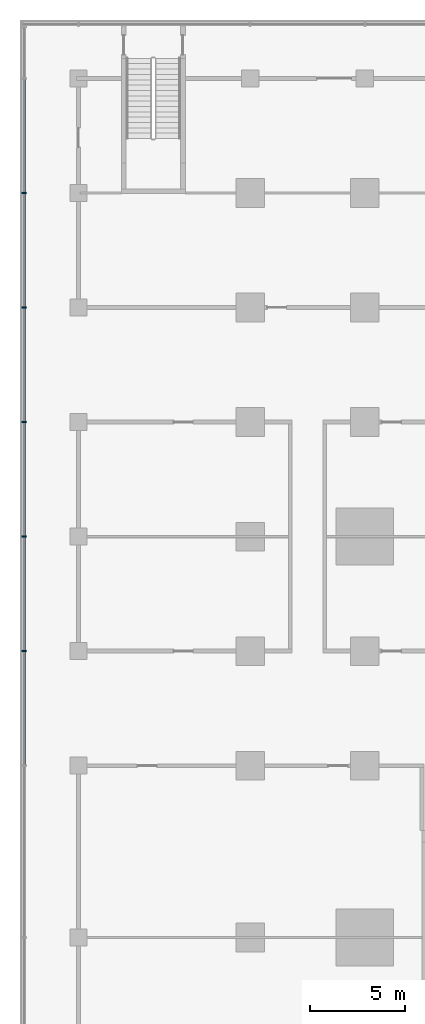
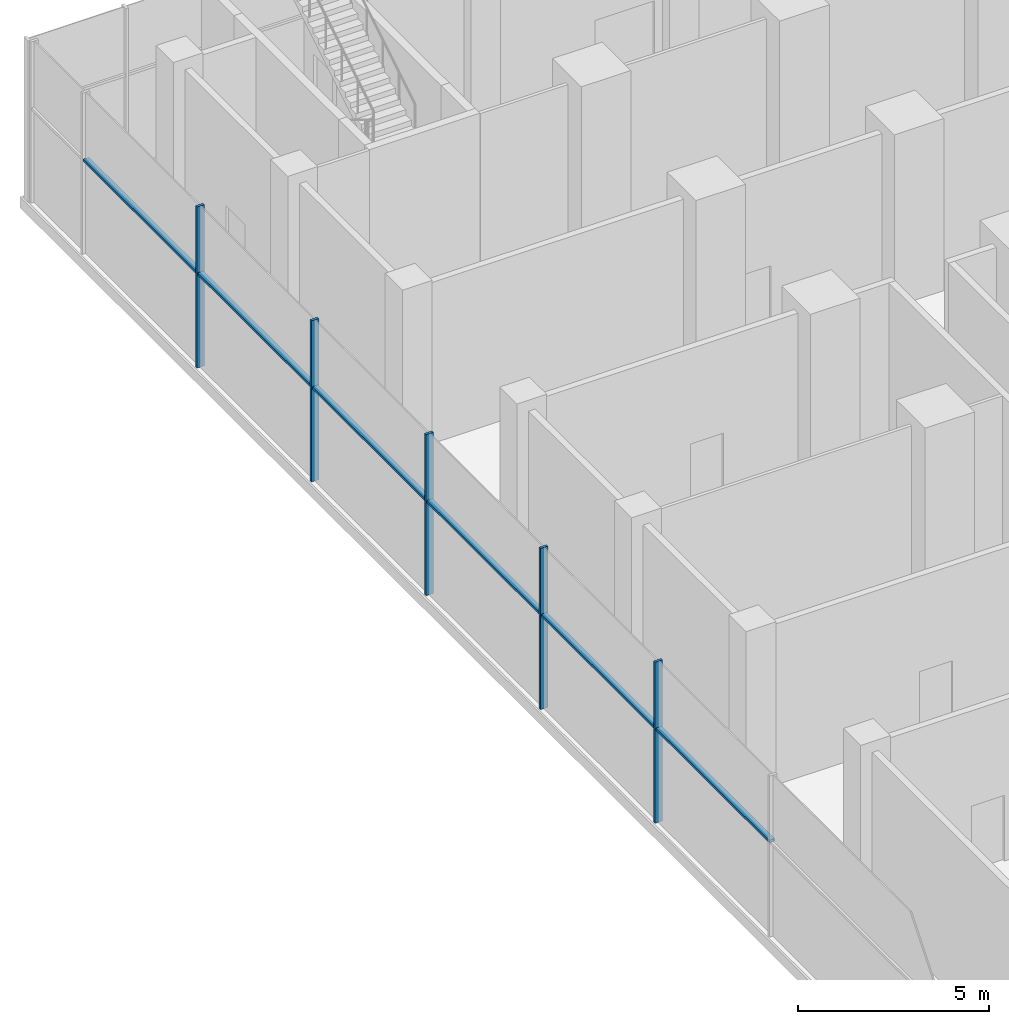
# One storey, part 4 of 22: 11 members, 1 element without a shape of its own.
"""IFC4 building model written with IfcOpenShell, lengths in metres."""

from ifc_helpers import new_model, si_unit, direction, frame, origin, origin_2d, place, context, subcontext, project, spatial, rectangle, extrude, material, material_profile, profile_set, type_object, element, aggregate, save


model = new_model("IFC4")

# Units and contexts
model_context = context("Model", 3, precision=1e-05, world=origin(), true_north=direction((0.0, 1.0)))
body_context = subcontext(model_context, "Body", "Model", "MODEL_VIEW")
ifc_project = project(units=[si_unit("LENGTHUNIT", "METRE"), si_unit("AREAUNIT", "SQUARE_METRE"), si_unit("VOLUMEUNIT", "CUBIC_METRE"), si_unit("PLANEANGLEUNIT", "RADIAN"), si_unit("MASSUNIT", "GRAM", prefix="KILO")], contexts=[model_context])

# Site, building, storey
site_placement = place(None, origin())
site = spatial("IfcSite", under=ifc_project, at=site_placement, CompositionType="ELEMENT")
building_placement = place(site_placement, origin())
building = spatial("IfcBuilding", under=site, at=building_placement, Name="Finial Court Residences", CompositionType="ELEMENT")
storey_placement = place(building_placement, frame((0.0, 0.0, 8.0)))
storey = spatial("IfcBuildingStorey", under=building, at=storey_placement, Name="L01", CompositionType="ELEMENT", Elevation=8.0)

# Curtain wall, members
ifc_material = material(Name="Bronze anodised aluminium", Category="aluminium")
curtain_wall_type = type_object("IfcCurtainWallType", Name="Podium curtain wall", PredefinedType="NOTDEFINED", material=ifc_material)
curtain_wall_placement = place(storey_placement, origin())
curtain_wall = element("IfcCurtainWall", 1, at=curtain_wall_placement, inside=storey, type_object=curtain_wall_type, Name="E-L01-CW-W4", PredefinedType="NOTDEFINED")
ifc_material_profile_1 = material_profile(ifc_material, rectangle(XDim=0.22509765625, YDim=0.080078125, at=origin_2d()), Name="CW5 mullion 80 x 225")
ifc_profile_set_1 = profile_set([ifc_material_profile_1], Name="Bronze anodised aluminium")
member_type_1 = type_object("IfcMemberType", Name="CW5 mullion 80 x 225", PredefinedType="MULLION", material=ifc_profile_set_1)
member_1_placement = place(storey_placement, frame((-34.35009765625, 1.5, 0.0), z_axis=(0.0, 0.0, 1.0), x_axis=(-1.0, 0.0, 0.0)))
member_1 = element("IfcMember", 2, at=member_1_placement, type_object=member_type_1, Name="CW5 mullion 6", PredefinedType="MULLION", context=body_context, shape_type="SweptSolid", body=[
    extrude(rectangle(XDim=0.22509765625, YDim=0.080078125, at=origin_2d()), origin(), (0.0, 0.0, 1.0), 5.14990234375),
])
member_2_placement = place(storey_placement, frame((-34.35009765625, 7.5, 0.0), z_axis=(0.0, 0.0, 1.0), x_axis=(-1.0, 0.0, 0.0)))
member_2 = element("IfcMember", 3, at=member_2_placement, type_object=member_type_1, Name="CW5 mullion 7", PredefinedType="MULLION", context=body_context, shape_type="SweptSolid", body=[
    extrude(rectangle(XDim=0.22509765625, YDim=0.080078125, at=origin_2d()), origin(), (0.0, 0.0, 1.0), 5.14990234375),
])
member_3_placement = place(storey_placement, frame((-34.35009765625, 13.5, 0.0), z_axis=(0.0, 0.0, 1.0), x_axis=(-1.0, 0.0, 0.0)))
member_3 = element("IfcMember", 4, at=member_3_placement, type_object=member_type_1, Name="CW5 mullion 8", PredefinedType="MULLION", context=body_context, shape_type="SweptSolid", body=[
    extrude(rectangle(XDim=0.22509765625, YDim=0.080078125, at=origin_2d()), origin(), (0.0, 0.0, 1.0), 5.14990234375),
])
member_4_placement = place(storey_placement, frame((-34.35009765625, 19.5, 0.0), z_axis=(0.0, 0.0, 1.0), x_axis=(-1.0, 0.0, 0.0)))
member_4 = element("IfcMember", 5, at=member_4_placement, type_object=member_type_1, Name="CW5 mullion 9", PredefinedType="MULLION", context=body_context, shape_type="SweptSolid", body=[
    extrude(rectangle(XDim=0.22509765625, YDim=0.080078125, at=origin_2d()), origin(), (0.0, 0.0, 1.0), 5.14990234375),
])
member_5_placement = place(storey_placement, frame((-34.35009765625, 25.5, 0.0), z_axis=(0.0, 0.0, 1.0), x_axis=(-1.0, 0.0, 0.0)))
member_5 = element("IfcMember", 6, at=member_5_placement, type_object=member_type_1, Name="CW5 mullion 10", PredefinedType="MULLION", context=body_context, shape_type="SweptSolid", body=[
    extrude(rectangle(XDim=0.22509765625, YDim=0.080078125, at=origin_2d()), origin(), (0.0, 0.0, 1.0), 5.14990234375),
])
ifc_material_profile_2 = material_profile(ifc_material, rectangle(XDim=0.175048828125, YDim=0.080078125, at=origin_2d()), Name="CW5 transom 80 x 175")
ifc_profile_set_2 = profile_set([ifc_material_profile_2], Name="Bronze anodised aluminium")
member_type_2 = type_object("IfcMemberType", Name="CW5 transom 80 x 175", PredefinedType="USERDEFINED", material=ifc_profile_set_2)
member_6_placement = place(storey_placement, frame((-34.35009765625, -4.4599609375, 3.0), z_axis=(0.0, 1.0, 0.0), x_axis=(-1.0, 0.0, 0.0)))
member_6 = element("IfcMember", 7, at=member_6_placement, type_object=member_type_2, Name="CW5 transom 5.1", ObjectType="TRANSOM", PredefinedType="USERDEFINED", context=body_context, shape_type="SweptSolid", body=[
    extrude(rectangle(XDim=0.175048828125, YDim=0.080078125, at=origin_2d()), origin(), (0.0, 0.0, 1.0), 5.919921875),
])
member_7_placement = place(storey_placement, frame((-34.35009765625, 1.5400390625, 3.0), z_axis=(0.0, 1.0, 0.0), x_axis=(-1.0, 0.0, 0.0)))
member_7 = element("IfcMember", 8, at=member_7_placement, type_object=member_type_2, Name="CW5 transom 6.1", ObjectType="TRANSOM", PredefinedType="USERDEFINED", context=body_context, shape_type="SweptSolid", body=[
    extrude(rectangle(XDim=0.175048828125, YDim=0.080078125, at=origin_2d()), origin(), (0.0, 0.0, 1.0), 5.919921875),
])
member_8_placement = place(storey_placement, frame((-34.35009765625, 7.5400390625, 3.0), z_axis=(0.0, 1.0, 0.0), x_axis=(-1.0, 0.0, 0.0)))
member_8 = element("IfcMember", 9, at=member_8_placement, type_object=member_type_2, Name="CW5 transom 7.1", ObjectType="TRANSOM", PredefinedType="USERDEFINED", context=body_context, shape_type="SweptSolid", body=[
    extrude(rectangle(XDim=0.175048828125, YDim=0.080078125, at=origin_2d()), origin(), (0.0, 0.0, 1.0), 5.919921875),
])
member_9_placement = place(storey_placement, frame((-34.35009765625, 13.5400390625, 3.0), z_axis=(0.0, 1.0, 0.0), x_axis=(-1.0, 0.0, 0.0)))
member_9 = element("IfcMember", 10, at=member_9_placement, type_object=member_type_2, Name="CW5 transom 8.1", ObjectType="TRANSOM", PredefinedType="USERDEFINED", context=body_context, shape_type="SweptSolid", body=[
    extrude(rectangle(XDim=0.175048828125, YDim=0.080078125, at=origin_2d()), origin(), (0.0, 0.0, 1.0), 5.919921875),
])
member_10_placement = place(storey_placement, frame((-34.35009765625, 19.5400390625, 3.0), z_axis=(0.0, 1.0, 0.0), x_axis=(-1.0, 0.0, 0.0)))
member_10 = element("IfcMember", 11, at=member_10_placement, type_object=member_type_2, Name="CW5 transom 9.1", ObjectType="TRANSOM", PredefinedType="USERDEFINED", context=body_context, shape_type="SweptSolid", body=[
    extrude(rectangle(XDim=0.175048828125, YDim=0.080078125, at=origin_2d()), origin(), (0.0, 0.0, 1.0), 5.919921875),
])
member_11_placement = place(storey_placement, frame((-34.35009765625, 25.5400390625, 3.0), z_axis=(0.0, 1.0, 0.0), x_axis=(-1.0, 0.0, 0.0)))
member_11 = element("IfcMember", 12, at=member_11_placement, type_object=member_type_2, Name="CW5 transom 10.1", ObjectType="TRANSOM", PredefinedType="USERDEFINED", context=body_context, shape_type="SweptSolid", body=[
    extrude(rectangle(XDim=0.175048828125, YDim=0.080078125, at=origin_2d()), origin(), (0.0, 0.0, 1.0), 5.919921875),
])
aggregate(curtain_wall, [member_1, member_2, member_3, member_4, member_5, member_6, member_7, member_8, member_9, member_10, member_11])

save(model, "model.ifc")
